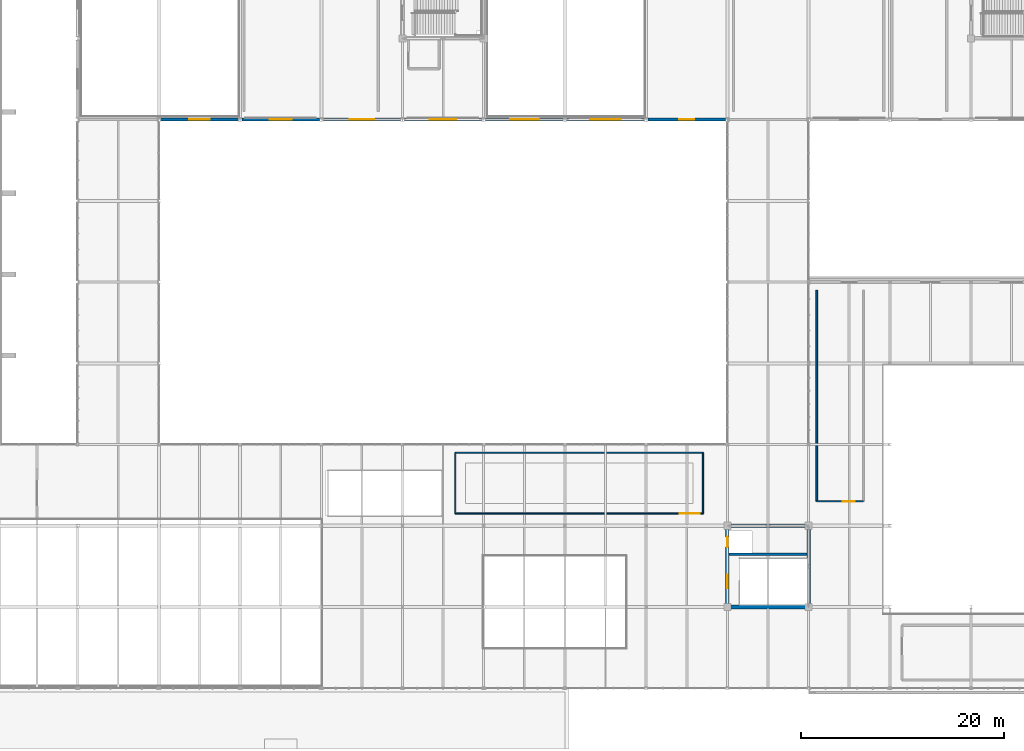
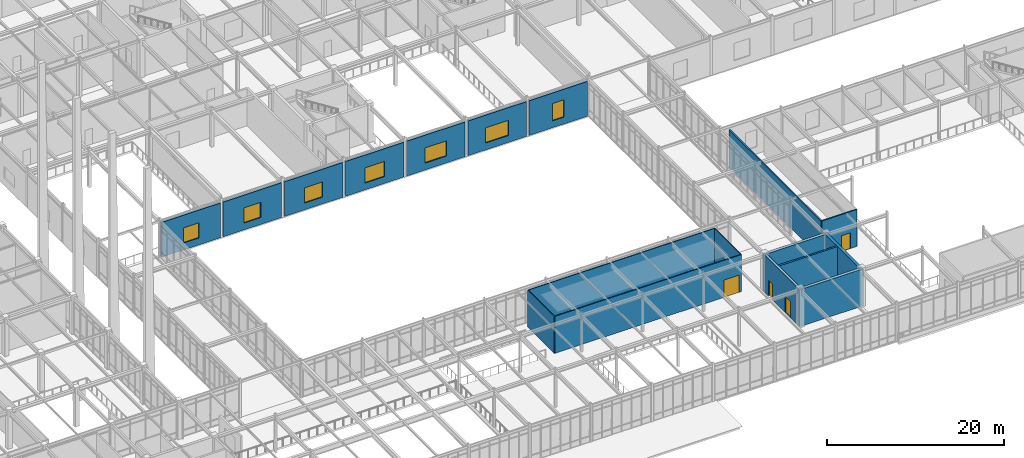
# One storey, part 163 of 184: 18 walls, 7 windows, 4 doors, 11 openings.
"""IFC4 building model written with IfcOpenShell, lengths in metres."""

from ifc_helpers import new_model, si_unit, direction, frame, frame_2d, origin, place, context, subcontext, project, spatial, rectangle, extrude, material, layer, layer_set, type_object, element, fill, save


model = new_model("IFC4")

# Units and contexts
model_context = context("Model", 3, precision=1e-05, world=origin(), true_north=direction((0.0, 1.0)))
body_context = subcontext(model_context, "Body", "Model", "MODEL_VIEW")
ifc_project = project(units=[si_unit("LENGTHUNIT", "METRE"), si_unit("AREAUNIT", "SQUARE_METRE"), si_unit("VOLUMEUNIT", "CUBIC_METRE"), si_unit("PLANEANGLEUNIT", "RADIAN"), si_unit("MASSUNIT", "GRAM", prefix="KILO")], contexts=[model_context])

# Site, building, storey
site_placement = place(None, origin())
site = spatial("IfcSite", under=ifc_project, at=site_placement, CompositionType="ELEMENT")
building_placement = place(site_placement, origin())
building = spatial("IfcBuilding", under=site, at=building_placement, Name="Zhaolan Boulevard Law Courts", CompositionType="ELEMENT")
storey_placement = place(building_placement, frame((0.0, 0.0, 5.39990234375)))
storey = spatial("IfcBuildingStorey", under=building, at=storey_placement, Name="L01", CompositionType="ELEMENT", Elevation=5.39990234375)

# Walls
ifc_material_1 = material(Name="Concrete C50", Category="concrete")
ifc_layer_1 = layer(ifc_material_1, 0.35009765625)
ifc_layer_set_1 = layer_set([ifc_layer_1])
wall_type_1 = type_object("IfcWallType", Name="CORE SHEAR WALL 350", PredefinedType="SHEAR", material=ifc_layer_set_1)
for number, where, z_axis, x_axis, name in (
    (1, (115.824951171875, 14.0, 0.0), (0.0, 0.0, 1.0), (1.0, 0.0, 0.0), "Core Shear Wall CW-P2-L01S"),
    (2, (124.175048828125, 22.0, 0.0), (0.0, 0.0, 1.0), (-1.0, 0.0, 0.0), "Core Shear Wall CW-P2-L01N"),
):
    element("IfcWall", number, at=place(storey_placement, frame(where, z_axis=z_axis, x_axis=x_axis)), inside=storey, type_object=wall_type_1, Name=name, PredefinedType="SHEAR", context=body_context, shape_type="SweptSolid", body=[
        extrude(rectangle(XDim=8.35009765625, YDim=0.35009765625, at=frame_2d((4.175048828125, 0.0))), origin(), (0.0, 0.0, 1.0), 5.1201171875),
    ])

# Wall, openings, doors
wall_1_placement = place(storey_placement, frame((116.0, 14.175048828125, 0.0), z_axis=(0.0, 0.0, 1.0), x_axis=(0.0, 1.0, 0.0)))
wall_1 = element("IfcWall", 3, at=wall_1_placement, inside=storey, type_object=wall_type_1, Name="Core Shear Wall CW-P2-L01W", PredefinedType="SHEAR", context=body_context, shape_type="SweptSolid", body=[
    extrude(rectangle(XDim=7.64990234375, YDim=0.35009765625, at=frame_2d((3.824951171875, 0.0))), origin(), (0.0, 0.0, 1.0), 5.1201171875),
])
opening_1_placement = place(wall_1_placement, frame((1.64990234375, 0.0, 0.0)))
opening_1 = element("IfcOpeningElement", 4, at=opening_1_placement, cuts=wall_1, Name="Opening SD-L01-28", PredefinedType="OPENING", context=body_context, shape_type="SweptSolid", body=[
    extrude(rectangle(XDim=1.35009765625, YDim=2.199951171875, at=frame_2d((0.675048828125, 1.10009765625))), frame((0.0, 0.18505859375, 0.0), z_axis=(0.0, -1.0, 0.0), x_axis=(1.0, 0.0, 0.0)), (0.0, 0.0, 1.0), 0.3701171875),
])
opening_2_placement = place(wall_1_placement, frame((5.72509765625, 0.0, 0.0)))
opening_2 = element("IfcOpeningElement", 5, at=opening_2_placement, cuts=wall_1, Name="Opening LD-PL-02-L01", PredefinedType="OPENING", context=body_context, shape_type="SweptSolid", body=[
    extrude(rectangle(XDim=1.0, YDim=2.14990234375, at=frame_2d((0.5, 1.074951171875))), frame((0.0, 0.18505859375, 0.0), z_axis=(0.0, -1.0, 0.0), x_axis=(1.0, 0.0, 0.0)), (0.0, 0.0, 1.0), 0.3701171875),
])
ifc_material_2 = material(Name="Stainless steel sliding landing door", Category="steel")
door_type_1 = type_object("IfcDoorType", Name="LIFT LANDING 1000X2150", OperationType="DOUBLE_DOOR_SLIDING", PredefinedType="DOOR", material=ifc_material_2)
door_1_placement = place(opening_2_placement, origin())
door_1 = element("IfcDoor", 6, at=door_1_placement, inside=storey, type_object=door_type_1, Name="Lift Landing Sliding Door LD-PL-02-L01", OperationType="DOUBLE_DOOR_SLIDING", OverallHeight=2.14990234375, OverallWidth=1.0, PredefinedType="DOOR", context=body_context, shape_type="SweptSolid", body=[
    extrude(rectangle(XDim=1.0, YDim=2.14990234375, at=frame_2d((0.5, 1.074951171875))), frame((0.0, 0.02490234375, 0.0), z_axis=(0.0, -1.0, 0.0), x_axis=(1.0, 0.0, 0.0)), (0.0, 0.0, 1.0), 0.050048828125),
])
fill(opening_2, door_1)
ifc_material_3 = material(Name="Fire-rated steel acoustic door", Category="steel")
door_type_2 = type_object("IfcDoorType", Name="STAIR FIRE 1350X2200 R", OperationType="SINGLE_SWING_RIGHT", PredefinedType="DOOR", material=ifc_material_3)
door_2_placement = place(opening_1_placement, origin())
door_2 = element("IfcDoor", 7, at=door_2_placement, inside=storey, type_object=door_type_2, Name="Smoke-Proof Stairwell Fire Door SD-L01-28", OperationType="SINGLE_SWING_RIGHT", OverallHeight=2.199951171875, OverallWidth=1.35009765625, PredefinedType="DOOR", context=body_context, shape_type="SweptSolid", body=[
    extrude(rectangle(XDim=1.35009765625, YDim=2.199951171875, at=frame_2d((0.675048828125, 1.10009765625))), frame((0.0, 0.02490234375, 0.0), z_axis=(0.0, -1.0, 0.0), x_axis=(1.0, 0.0, 0.0)), (0.0, 0.0, 1.0), 0.050048828125),
])
fill(opening_1, door_2)

# Wall
wall_2_placement = place(storey_placement, frame((124.0, 14.175048828125, 0.0), z_axis=(0.0, 0.0, 1.0), x_axis=(0.0, 1.0, 0.0)))
element("IfcWall", 8, at=wall_2_placement, inside=storey, type_object=wall_type_1, Name="Core Shear Wall CW-P2-L01E", PredefinedType="SHEAR", context=body_context, shape_type="SweptSolid", body=[
    extrude(rectangle(XDim=7.64990234375, YDim=0.35009765625, at=frame_2d((3.824951171875, 0.0))), origin(), (0.0, 0.0, 1.0), 5.1201171875),
])

# Wall, opening, window
ifc_material_4 = material(Name="Concrete C40", Category="concrete")
ifc_layer_2 = layer(ifc_material_4, 0.300048828125)
ifc_layer_set_2 = layer_set([ifc_layer_2])
wall_type_2 = type_object("IfcWallType", Name="EXT WALL CONCRETE300", PredefinedType="SOLIDWALL", material=ifc_layer_set_2)
wall_3_placement = place(storey_placement, frame((60.1708984375, 62.0, 0.0), z_axis=(0.0, 0.0, 1.0), x_axis=(1.0, 0.0, 0.0)))
wall_3 = element("IfcWall", 9, at=wall_3_placement, inside=storey, type_object=wall_type_2, Name="Exterior Wall EW-L01-205", PredefinedType="SOLIDWALL", context=body_context, shape_type="SweptSolid", body=[
    extrude(rectangle(XDim=7.658203125, YDim=0.300048828125, at=frame_2d((3.8291015625, 0.0))), origin(), (0.0, 0.0, 1.0), 4.802978515625),
])
opening_3_placement = place(wall_3_placement, frame((2.8291015625, 0.0, 0.949951171875)))
opening_3 = element("IfcOpeningElement", 10, at=opening_3_placement, cuts=wall_3, Name="Opening WIN-L01-062", PredefinedType="OPENING", context=body_context, shape_type="SweptSolid", body=[
    extrude(rectangle(XDim=2.0, YDim=2.10009765625, at=frame_2d((1.0, 1.050048828125))), frame((0.0, 0.159912109375, 0.0), z_axis=(0.0, -1.0, 0.0), x_axis=(1.0, 0.0, 0.0)), (0.0, 0.0, 1.0), 0.320068359375),
])
ifc_material_5 = material(Name="Thermally broken aluminium and low-E glazing", Category="aluminium")
window_type_1 = type_object("IfcWindowType", Name="WINDOW 2000X2100", PartitioningType="DOUBLE_PANEL_VERTICAL", PredefinedType="WINDOW", material=ifc_material_5)
window_1_placement = place(opening_3_placement, origin())
window_1 = element("IfcWindow", 11, at=window_1_placement, inside=storey, type_object=window_type_1, Name="Exterior Window WIN-L01-062", OverallHeight=2.10009765625, OverallWidth=2.0, PartitioningType="SINGLE_PANEL", PredefinedType="WINDOW", context=body_context, shape_type="SweptSolid", body=[
    extrude(rectangle(XDim=2.0, YDim=2.10009765625, at=frame_2d((1.0, 1.050048828125))), frame((0.0, 0.030029296875, 0.0), z_axis=(0.0, -1.0, 0.0), x_axis=(1.0, 0.0, 0.0)), (0.0, 0.0, 1.0), 0.06005859375),
])
fill(opening_3, window_1)

wall_4_placement = place(storey_placement, frame((68.1708984375, 62.0, 0.0), z_axis=(0.0, 0.0, 1.0), x_axis=(1.0, 0.0, 0.0)))
wall_4 = element("IfcWall", 12, at=wall_4_placement, inside=storey, type_object=wall_type_2, Name="Exterior Wall EW-L01-206", PredefinedType="SOLIDWALL", context=body_context, shape_type="SweptSolid", body=[
    extrude(rectangle(XDim=7.658203125, YDim=0.300048828125, at=frame_2d((3.8291015625, 0.0))), origin(), (0.0, 0.0, 1.0), 4.802978515625),
])
opening_4_placement = place(wall_4_placement, frame((2.72900390625, 0.0, 0.949951171875)))
opening_4 = element("IfcOpeningElement", 13, at=opening_4_placement, cuts=wall_4, Name="Opening WIN-L01-063", PredefinedType="OPENING", context=body_context, shape_type="SweptSolid", body=[
    extrude(rectangle(XDim=2.199951171875, YDim=2.10009765625, at=frame_2d((1.10009765625, 1.050048828125))), frame((0.0, 0.159912109375, 0.0), z_axis=(0.0, -1.0, 0.0), x_axis=(1.0, 0.0, 0.0)), (0.0, 0.0, 1.0), 0.320068359375),
])
ifc_material_6 = material(Name="Thermally broken aluminium and low-E glazing", Category="aluminium")
window_type_2 = type_object("IfcWindowType", Name="WINDOW 2200X2100", PartitioningType="DOUBLE_PANEL_VERTICAL", PredefinedType="WINDOW", material=ifc_material_6)
window_2_placement = place(opening_4_placement, origin())
window_2 = element("IfcWindow", 14, at=window_2_placement, inside=storey, type_object=window_type_2, Name="Exterior Window WIN-L01-063", OverallHeight=2.10009765625, OverallWidth=2.199951171875, PartitioningType="SINGLE_PANEL", PredefinedType="WINDOW", context=body_context, shape_type="SweptSolid", body=[
    extrude(rectangle(XDim=2.199951171875, YDim=2.10009765625, at=frame_2d((1.10009765625, 1.050048828125))), frame((0.0, 0.030029296875, 0.0), z_axis=(0.0, -1.0, 0.0), x_axis=(1.0, 0.0, 0.0)), (0.0, 0.0, 1.0), 0.06005859375),
])
fill(opening_4, window_2)

wall_5_placement = place(storey_placement, frame((76.1708984375, 62.0, 0.0), z_axis=(0.0, 0.0, 1.0), x_axis=(1.0, 0.0, 0.0)))
wall_5 = element("IfcWall", 15, at=wall_5_placement, inside=storey, type_object=wall_type_2, Name="Exterior Wall EW-L01-207", PredefinedType="SOLIDWALL", context=body_context, shape_type="SweptSolid", body=[
    extrude(rectangle(XDim=7.658203125, YDim=0.300048828125, at=frame_2d((3.8291015625, 0.0))), origin(), (0.0, 0.0, 1.0), 4.802978515625),
])
opening_5_placement = place(wall_5_placement, frame((2.62890625, 0.0, 0.949951171875)))
opening_5 = element("IfcOpeningElement", 16, at=opening_5_placement, cuts=wall_5, Name="Opening WIN-L01-064", PredefinedType="OPENING", context=body_context, shape_type="SweptSolid", body=[
    extrude(rectangle(XDim=2.39990234375, YDim=2.10009765625, at=frame_2d((1.199951171875, 1.050048828125))), frame((0.0, 0.159912109375, 0.0), z_axis=(0.0, -1.0, 0.0), x_axis=(1.0, 0.0, 0.0)), (0.0, 0.0, 1.0), 0.320068359375),
])
ifc_material_7 = material(Name="Thermally broken aluminium and low-E glazing", Category="aluminium")
window_type_3 = type_object("IfcWindowType", Name="WINDOW 2400X2100", PartitioningType="DOUBLE_PANEL_VERTICAL", PredefinedType="WINDOW", material=ifc_material_7)
window_3_placement = place(opening_5_placement, origin())
window_3 = element("IfcWindow", 17, at=window_3_placement, inside=storey, type_object=window_type_3, Name="Exterior Window WIN-L01-064", OverallHeight=2.10009765625, OverallWidth=2.39990234375, PartitioningType="SINGLE_PANEL", PredefinedType="WINDOW", context=body_context, shape_type="SweptSolid", body=[
    extrude(rectangle(XDim=2.39990234375, YDim=2.10009765625, at=frame_2d((1.199951171875, 1.050048828125))), frame((0.0, 0.030029296875, 0.0), z_axis=(0.0, -1.0, 0.0), x_axis=(1.0, 0.0, 0.0)), (0.0, 0.0, 1.0), 0.06005859375),
])
fill(opening_5, window_3)

wall_6_placement = place(storey_placement, frame((84.1708984375, 62.0, 0.0), z_axis=(0.0, 0.0, 1.0), x_axis=(1.0, 0.0, 0.0)))
wall_6 = element("IfcWall", 18, at=wall_6_placement, inside=storey, type_object=wall_type_2, Name="Exterior Wall EW-L01-208", PredefinedType="SOLIDWALL", context=body_context, shape_type="SweptSolid", body=[
    extrude(rectangle(XDim=7.658203125, YDim=0.300048828125, at=frame_2d((3.8291015625, 0.0))), origin(), (0.0, 0.0, 1.0), 4.802978515625),
])
opening_6_placement = place(wall_6_placement, frame((2.529052734375, 0.0, 0.949951171875)))
opening_6 = element("IfcOpeningElement", 19, at=opening_6_placement, cuts=wall_6, Name="Opening WIN-L01-065", PredefinedType="OPENING", context=body_context, shape_type="SweptSolid", body=[
    extrude(rectangle(XDim=2.60009765625, YDim=2.10009765625, at=frame_2d((1.300048828125, 1.050048828125))), frame((0.0, 0.159912109375, 0.0), z_axis=(0.0, -1.0, 0.0), x_axis=(1.0, 0.0, 0.0)), (0.0, 0.0, 1.0), 0.320068359375),
])
ifc_material_8 = material(Name="Thermally broken aluminium and low-E glazing", Category="aluminium")
window_type_4 = type_object("IfcWindowType", Name="WINDOW 2600X2100", PartitioningType="DOUBLE_PANEL_VERTICAL", PredefinedType="WINDOW", material=ifc_material_8)
window_4_placement = place(opening_6_placement, origin())
window_4 = element("IfcWindow", 20, at=window_4_placement, inside=storey, type_object=window_type_4, Name="Exterior Window WIN-L01-065", OverallHeight=2.10009765625, OverallWidth=2.60009765625, PartitioningType="SINGLE_PANEL", PredefinedType="WINDOW", context=body_context, shape_type="SweptSolid", body=[
    extrude(rectangle(XDim=2.60009765625, YDim=2.10009765625, at=frame_2d((1.300048828125, 1.050048828125))), frame((0.0, 0.030029296875, 0.0), z_axis=(0.0, -1.0, 0.0), x_axis=(1.0, 0.0, 0.0)), (0.0, 0.0, 1.0), 0.06005859375),
])
fill(opening_6, window_4)

wall_7_placement = place(storey_placement, frame((92.1708984375, 62.0, 0.0), z_axis=(0.0, 0.0, 1.0), x_axis=(1.0, 0.0, 0.0)))
wall_7 = element("IfcWall", 21, at=wall_7_placement, inside=storey, type_object=wall_type_2, Name="Exterior Wall EW-L01-209", PredefinedType="SOLIDWALL", context=body_context, shape_type="SweptSolid", body=[
    extrude(rectangle(XDim=7.658203125, YDim=0.300048828125, at=frame_2d((3.8291015625, 0.0))), origin(), (0.0, 0.0, 1.0), 4.802978515625),
])
opening_7_placement = place(wall_7_placement, frame((2.428955078125, 0.0, 0.949951171875)))
opening_7 = element("IfcOpeningElement", 22, at=opening_7_placement, cuts=wall_7, Name="Opening WIN-L01-066", PredefinedType="OPENING", context=body_context, shape_type="SweptSolid", body=[
    extrude(rectangle(XDim=2.800048828125, YDim=2.10009765625, at=frame_2d((1.39990234375, 1.050048828125))), frame((0.0, 0.159912109375, 0.0), z_axis=(0.0, -1.0, 0.0), x_axis=(1.0, 0.0, 0.0)), (0.0, 0.0, 1.0), 0.320068359375),
])
ifc_material_9 = material(Name="Thermally broken aluminium and low-E glazing", Category="aluminium")
window_type_5 = type_object("IfcWindowType", Name="WINDOW 2800X2100", PartitioningType="DOUBLE_PANEL_VERTICAL", PredefinedType="WINDOW", material=ifc_material_9)
window_5_placement = place(opening_7_placement, origin())
window_5 = element("IfcWindow", 23, at=window_5_placement, inside=storey, type_object=window_type_5, Name="Exterior Window WIN-L01-066", OverallHeight=2.10009765625, OverallWidth=2.800048828125, PartitioningType="SINGLE_PANEL", PredefinedType="WINDOW", context=body_context, shape_type="SweptSolid", body=[
    extrude(rectangle(XDim=2.800048828125, YDim=2.10009765625, at=frame_2d((1.39990234375, 1.050048828125))), frame((0.0, 0.030029296875, 0.0), z_axis=(0.0, -1.0, 0.0), x_axis=(1.0, 0.0, 0.0)), (0.0, 0.0, 1.0), 0.06005859375),
])
fill(opening_7, window_5)

wall_8_placement = place(storey_placement, frame((100.1708984375, 62.0, 0.0), z_axis=(0.0, 0.0, 1.0), x_axis=(1.0, 0.0, 0.0)))
wall_8 = element("IfcWall", 24, at=wall_8_placement, inside=storey, type_object=wall_type_2, Name="Exterior Wall EW-L01-210", PredefinedType="SOLIDWALL", context=body_context, shape_type="SweptSolid", body=[
    extrude(rectangle(XDim=7.658203125, YDim=0.300048828125, at=frame_2d((3.8291015625, 0.0))), origin(), (0.0, 0.0, 1.0), 4.802978515625),
])
opening_8_placement = place(wall_8_placement, frame((2.3291015625, 0.0, 0.949951171875)))
opening_8 = element("IfcOpeningElement", 25, at=opening_8_placement, cuts=wall_8, Name="Opening WIN-L01-067", PredefinedType="OPENING", context=body_context, shape_type="SweptSolid", body=[
    extrude(rectangle(XDim=3.0, YDim=2.10009765625, at=frame_2d((1.5, 1.050048828125))), frame((0.0, 0.159912109375, 0.0), z_axis=(0.0, -1.0, 0.0), x_axis=(1.0, 0.0, 0.0)), (0.0, 0.0, 1.0), 0.320068359375),
])
ifc_material_10 = material(Name="Thermally broken aluminium and low-E glazing", Category="aluminium")
window_type_6 = type_object("IfcWindowType", Name="WINDOW 3000X2100", PartitioningType="DOUBLE_PANEL_VERTICAL", PredefinedType="WINDOW", material=ifc_material_10)
window_6_placement = place(opening_8_placement, origin())
window_6 = element("IfcWindow", 26, at=window_6_placement, inside=storey, type_object=window_type_6, Name="Exterior Window WIN-L01-067", OverallHeight=2.10009765625, OverallWidth=3.0, PartitioningType="SINGLE_PANEL", PredefinedType="WINDOW", context=body_context, shape_type="SweptSolid", body=[
    extrude(rectangle(XDim=3.0, YDim=2.10009765625, at=frame_2d((1.5, 1.050048828125))), frame((0.0, 0.030029296875, 0.0), z_axis=(0.0, -1.0, 0.0), x_axis=(1.0, 0.0, 0.0)), (0.0, 0.0, 1.0), 0.06005859375),
])
fill(opening_8, window_6)

wall_9_placement = place(storey_placement, frame((108.1708984375, 62.0, 0.0), z_axis=(0.0, 0.0, 1.0), x_axis=(1.0, 0.0, 0.0)))
wall_9 = element("IfcWall", 27, at=wall_9_placement, inside=storey, type_object=wall_type_2, Name="Exterior Wall EW-L01-211", PredefinedType="SOLIDWALL", context=body_context, shape_type="SweptSolid", body=[
    extrude(rectangle(XDim=7.658203125, YDim=0.300048828125, at=frame_2d((3.8291015625, 0.0))), origin(), (0.0, 0.0, 1.0), 4.802978515625),
])
opening_9_placement = place(wall_9_placement, frame((3.0791015625, 0.0, 0.949951171875)))
opening_9 = element("IfcOpeningElement", 28, at=opening_9_placement, cuts=wall_9, Name="Opening WIN-L01-068", PredefinedType="OPENING", context=body_context, shape_type="SweptSolid", body=[
    extrude(rectangle(XDim=1.5, YDim=2.39990234375, at=frame_2d((0.75, 1.199951171875))), frame((0.0, 0.159912109375, 0.0), z_axis=(0.0, -1.0, 0.0), x_axis=(1.0, 0.0, 0.0)), (0.0, 0.0, 1.0), 0.320068359375),
])
ifc_material_11 = material(Name="Thermally broken aluminium and low-E glazing", Category="aluminium")
window_type_7 = type_object("IfcWindowType", Name="WINDOW 1500X2400", PartitioningType="SINGLE_PANEL", PredefinedType="WINDOW", material=ifc_material_11)
window_7_placement = place(opening_9_placement, origin())
window_7 = element("IfcWindow", 29, at=window_7_placement, inside=storey, type_object=window_type_7, Name="Exterior Window WIN-L01-068", OverallHeight=2.39990234375, OverallWidth=1.5, PartitioningType="SINGLE_PANEL", PredefinedType="WINDOW", context=body_context, shape_type="SweptSolid", body=[
    extrude(rectangle(XDim=1.5, YDim=2.39990234375, at=frame_2d((0.75, 1.199951171875))), frame((0.0, 0.030029296875, 0.0), z_axis=(0.0, -1.0, 0.0), x_axis=(1.0, 0.0, 0.0)), (0.0, 0.0, 1.0), 0.06005859375),
])
fill(opening_9, window_7)

# Wall
ifc_material_12 = material(Name="Concrete C50", Category="concrete")
ifc_layer_3 = layer(ifc_material_12, 0.239990234375)
ifc_layer_set_3 = layer_set([ifc_layer_3])
wall_type_3 = type_object("IfcWallType", Name="LIFT SHAFT WALL 240", PredefinedType="SHEAR", material=ifc_layer_set_3)
wall_10_placement = place(storey_placement, frame((116.175048828125, 19.179931640625, 0.0), z_axis=(0.0, 0.0, 1.0), x_axis=(1.0, 0.0, 0.0)))
element("IfcWall", 30, at=wall_10_placement, inside=storey, type_object=wall_type_3, Name="Lift Shaft Enclosure Wall P2 (L01)", PredefinedType="SHEAR", context=body_context, shape_type="SweptSolid", body=[
    extrude(rectangle(XDim=7.64990234375, YDim=0.239990234375, at=frame_2d((3.824951171875, 0.0))), origin(), (0.0, 0.0, 1.0), 5.1201171875),
])

# Wall, opening, door
ifc_material_13 = material(Name="Fire-rated gypsum stud partition")
ifc_layer_4 = layer(ifc_material_13, 0.159912109375)
ifc_layer_set_4 = layer_set([ifc_layer_4])
wall_type_4 = type_object("IfcWallType", Name="PART WALL CHAMB160", PredefinedType="PARTITIONING", material=ifc_layer_set_4)
wall_11_placement = place(storey_placement, frame((124.800048828125, 24.39990234375, 0.0), z_axis=(0.0, 0.0, 1.0), x_axis=(1.0, 0.0, 0.0)))
wall_11 = element("IfcWall", 31, at=wall_11_placement, inside=storey, type_object=wall_type_4, Name="Interior Partition PW-L01-364", PredefinedType="PARTITIONING", context=body_context, shape_type="SweptSolid", body=[
    extrude(rectangle(XDim=4.599853515625, YDim=0.159912109375, at=frame_2d((2.2998046875, 0.0))), origin(), (0.0, 0.0, 1.0), 5.1201171875),
])
opening_10_placement = place(wall_11_placement, frame((2.580078125, 0.0, 0.0)))
opening_10 = element("IfcOpeningElement", 32, at=opening_10_placement, cuts=wall_11, Name="Opening JR-L01-113", PredefinedType="OPENING", context=body_context, shape_type="SweptSolid", body=[
    extrude(rectangle(XDim=1.14990234375, YDim=2.199951171875, at=frame_2d((0.574951171875, 1.10009765625))), frame((0.0, 0.08984375, 0.0), z_axis=(0.0, -1.0, 0.0), x_axis=(1.0, 0.0, 0.0)), (0.0, 0.0, 1.0), 0.179931640625),
])
ifc_material_14 = material(Name="Solid-core acoustic oak veneer door")
door_type_3 = type_object("IfcDoorType", Name="JURY DOOR 1150X2200 L", OperationType="SINGLE_SWING_LEFT", PredefinedType="DOOR", material=ifc_material_14)
door_3_placement = place(opening_10_placement, origin())
door_3 = element("IfcDoor", 33, at=door_3_placement, inside=storey, type_object=door_type_3, Name="Door JR-L01-113 (Jury and Witness Waiting Suite L01)", OperationType="SINGLE_SWING_LEFT", OverallHeight=2.199951171875, OverallWidth=1.14990234375, PredefinedType="DOOR", context=body_context, shape_type="SweptSolid", body=[
    extrude(rectangle(XDim=1.14990234375, YDim=2.199951171875, at=frame_2d((0.574951171875, 1.10009765625))), frame((0.0, 0.02490234375, 0.0), z_axis=(0.0, -1.0, 0.0), x_axis=(1.0, 0.0, 0.0)), (0.0, 0.0, 1.0), 0.050048828125),
])
fill(opening_10, door_3)

# Wall
wall_12_placement = place(storey_placement, frame((124.800048828125, 45.199951171875, 0.0), z_axis=(0.0, 0.0, 1.0), x_axis=(0.0, -1.0, 0.0)))
element("IfcWall", 34, at=wall_12_placement, inside=storey, type_object=wall_type_4, Name="Interior Partition PW-L01-365", PredefinedType="PARTITIONING", context=body_context, shape_type="SweptSolid", body=[
    extrude(rectangle(XDim=20.800048828125, YDim=0.159912109375, at=frame_2d((10.39990234375, 0.0))), origin(), (0.0, 0.0, 1.0), 5.1201171875),
])

# Wall, opening, door
ifc_material_15 = material(Name="Gypsum board stud partition")
ifc_layer_5 = layer(ifc_material_15, 0.1201171875)
ifc_layer_set_5 = layer_set([ifc_layer_5])
wall_type_5 = type_object("IfcWallType", Name="PART WALL LIGHT120", PredefinedType="PARTITIONING", material=ifc_layer_set_5)
wall_13_placement = place(storey_placement, frame((89.199951171875, 23.199951171875, 0.0), z_axis=(0.0, 0.0, 1.0), x_axis=(1.0, 0.0, 0.0)))
wall_13 = element("IfcWall", 35, at=wall_13_placement, inside=storey, type_object=wall_type_5, Name="Interior Partition PW-L01-356", PredefinedType="PARTITIONING", context=body_context, shape_type="SweptSolid", body=[
    extrude(rectangle(XDim=24.400146484375, YDim=0.1201171875, at=frame_2d((12.2001953125, 0.0))), origin(), (0.0, 0.0, 1.0), 5.1201171875),
])
opening_11_placement = place(wall_13_placement, frame((22.10009765625, 0.0, 0.0)))
opening_11 = element("IfcOpeningElement", 36, at=opening_11_placement, cuts=wall_13, Name="Opening ID-L01-111", PredefinedType="OPENING", context=body_context, shape_type="SweptSolid", body=[
    extrude(rectangle(XDim=2.0, YDim=2.39990234375, at=frame_2d((1.0, 1.199951171875))), frame((0.0, 0.070068359375, 0.0), z_axis=(0.0, -1.0, 0.0), x_axis=(1.0, 0.0, 0.0)), (0.0, 0.0, 1.0), 0.14013671875),
])
ifc_material_16 = material(Name="Solid-core acoustic oak veneer door")
door_type_4 = type_object("IfcDoorType", Name="HALL DOUBLE 2000X2400", OperationType="DOUBLE_DOOR_SINGLE_SWING", PredefinedType="DOOR", material=ifc_material_16)
door_4_placement = place(opening_11_placement, origin())
door_4 = element("IfcDoor", 37, at=door_4_placement, inside=storey, type_object=door_type_4, Name="Door ID-L01-111 (Community Judicial Education Room)", OperationType="DOUBLE_DOOR_SINGLE_SWING", OverallHeight=2.39990234375, OverallWidth=2.0, PredefinedType="DOOR", context=body_context, shape_type="SweptSolid", body=[
    extrude(rectangle(XDim=2.0, YDim=2.39990234375, at=frame_2d((1.0, 1.199951171875))), frame((0.0, 0.02490234375, 0.0), z_axis=(0.0, -1.0, 0.0), x_axis=(1.0, 0.0, 0.0)), (0.0, 0.0, 1.0), 0.050048828125),
])
fill(opening_11, door_4)

# Walls
wall_14_placement = place(storey_placement, frame((113.60009765625, 29.199951171875, 0.0), z_axis=(0.0, 0.0, 1.0), x_axis=(-1.0, 0.0, 0.0)))
element("IfcWall", 38, at=wall_14_placement, inside=storey, type_object=wall_type_5, Name="Interior Partition PW-L01-357", PredefinedType="PARTITIONING", context=body_context, shape_type="SweptSolid", body=[
    extrude(rectangle(XDim=24.400146484375, YDim=0.1201171875, at=frame_2d((12.2001953125, 0.0))), origin(), (0.0, 0.0, 1.0), 5.1201171875),
])
for number, where, z_axis, x_axis, name in (
    (39, (89.199951171875, 29.199951171875, 0.0), (0.0, 0.0, 1.0), (0.0, -1.0, 0.0), "Interior Partition PW-L01-358"),
    (40, (113.60009765625, 23.199951171875, 0.0), (0.0, 0.0, 1.0), (0.0, 1.0, 0.0), "Interior Partition PW-L01-359"),
):
    element("IfcWall", number, at=place(storey_placement, frame(where, z_axis=z_axis, x_axis=x_axis)), inside=storey, type_object=wall_type_5, Name=name, PredefinedType="PARTITIONING", context=body_context, shape_type="SweptSolid", body=[
        extrude(rectangle(XDim=6.0, YDim=0.1201171875, at=frame_2d((3.0, 0.0))), origin(), (0.0, 0.0, 1.0), 5.1201171875),
    ])

save(model, "model.ifc")
